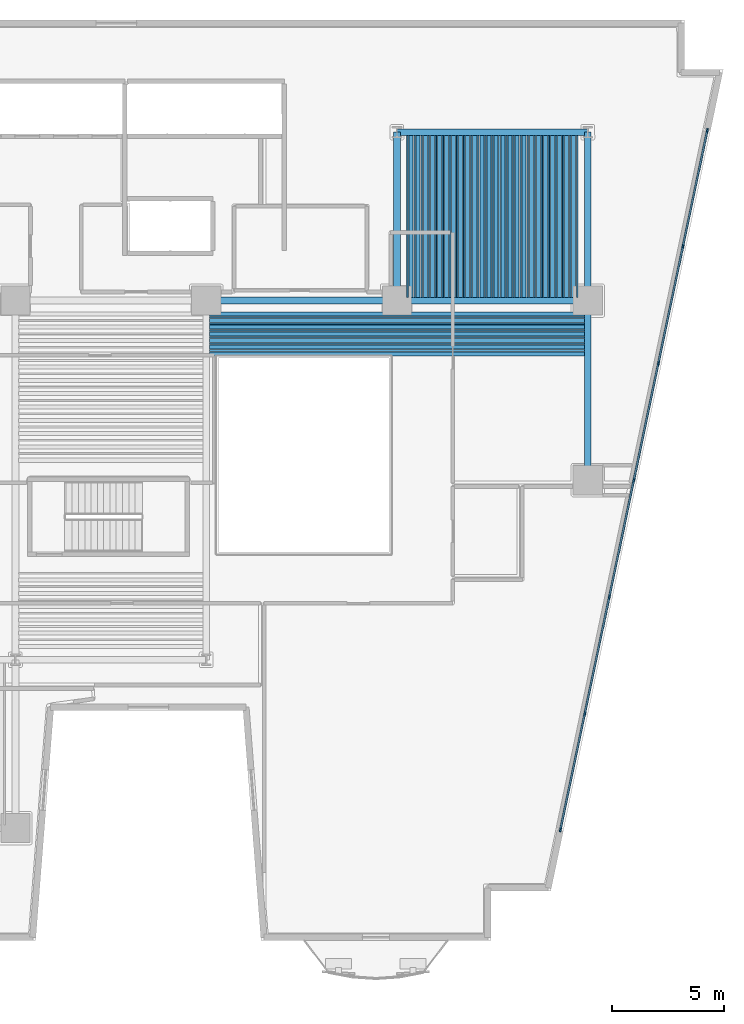
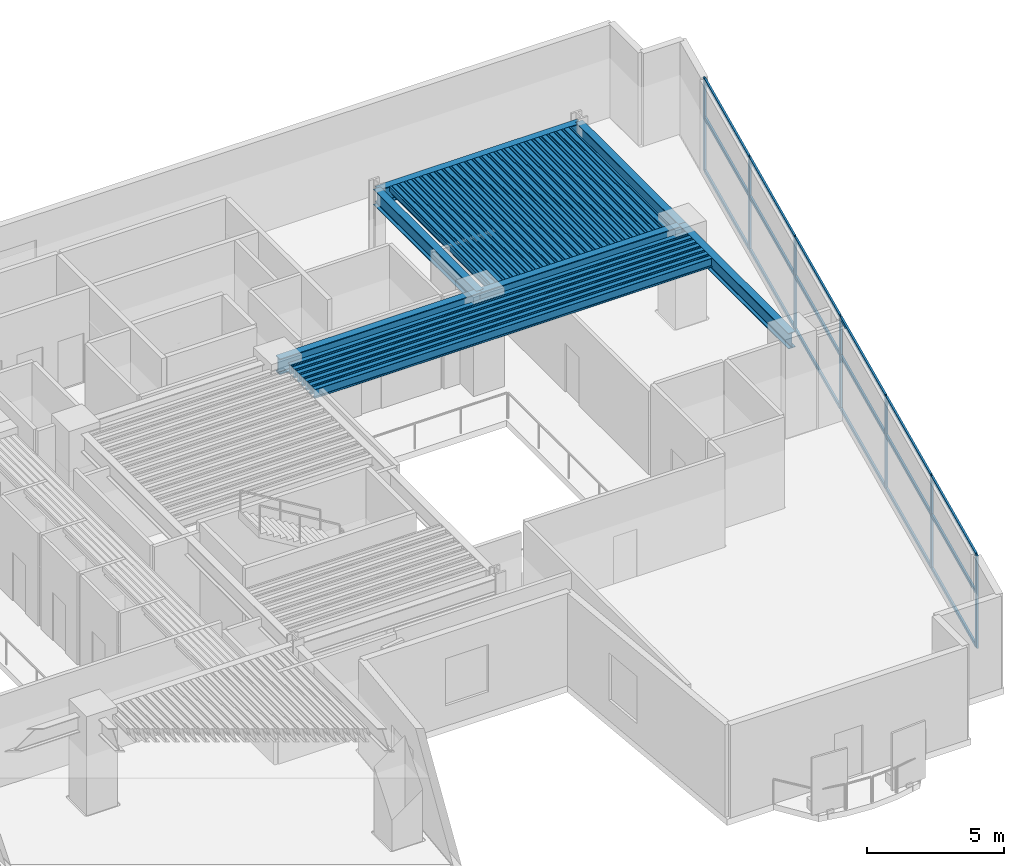
# One storey, part 2 of 12: 68 beams, 25 members, 1 element without a shape of its own.
"""IFC4 building model written with IfcOpenShell, lengths in metres."""

from ifc_helpers import new_model, si_unit, direction, frame, origin, origin_2d, place, context, subcontext, project, spatial, rectangle, hollow_rectangle, i_section, extrude, material, layer, layer_set, material_profile, profile_set, type_object, element, aggregate, save


model = new_model("IFC4")

# Units and contexts
model_context = context("Model", 3, precision=1e-05, world=origin(), true_north=direction((0.0, 1.0)))
body_context = subcontext(model_context, "Body", "Model", "MODEL_VIEW")
ifc_project = project(units=[si_unit("LENGTHUNIT", "METRE"), si_unit("AREAUNIT", "SQUARE_METRE"), si_unit("VOLUMEUNIT", "CUBIC_METRE"), si_unit("PLANEANGLEUNIT", "RADIAN"), si_unit("MASSUNIT", "GRAM", prefix="KILO")], contexts=[model_context])

# Site, building, storey
site_placement = place(None, origin())
site = spatial("IfcSite", under=ifc_project, at=site_placement, CompositionType="ELEMENT")
building_placement = place(site_placement, origin())
building = spatial("IfcBuilding", under=site, at=building_placement, Name="Caeloran Harvest Quay", CompositionType="ELEMENT")
storey_placement = place(building_placement, frame((0.0, 0.0, 93.0)))
storey = spatial("IfcBuildingStorey", under=building, at=storey_placement, Name="L21", CompositionType="ELEMENT", Elevation=93.0)

# Beams
ifc_material_1 = material(Name="Steel S355J2", Category="steel")
ifc_material_profile_1 = material_profile(ifc_material_1, i_section(OverallWidth=0.300048828125, OverallDepth=0.699951171875, WebThickness=0.01708984375, FlangeThickness=0.031982421875, FilletRadius=0.027099609375, at=origin_2d()), Name="HE 700 B")
ifc_profile_set_1 = profile_set([ifc_material_profile_1], Name="Steel S355J2")
beam_type_1 = type_object("IfcBeamType", Name="BM-PG-2-HE_700_B", PredefinedType="BEAM", material=ifc_profile_set_1)
for number, where, z_axis, x_axis, name in (
    (1, (34.0, 31.0, 3.764892578125), (1.0, 0.0, 0.0), (0.0, 1.0, 0.0), "L21 Primary East-West Girder Y=31.0"),
    (2, (42.5, 31.0, 3.764892578125), (1.0, 0.0, 0.0), (0.0, 1.0, 0.0), "L21 Primary East-West Girder Y=31.0"),
    (3, (42.5, 38.5, 3.764892578125), (1.0, 0.0, 0.0), (0.0, 1.0, 0.0), "L21 Primary East-West Girder Y=38.5"),
):
    element("IfcBeam", number, at=place(storey_placement, frame(where, z_axis=z_axis, x_axis=x_axis)), inside=storey, type_object=beam_type_1, Name=name, PredefinedType="BEAM", context=body_context, shape_type="SweptSolid", body=[
        extrude(i_section(OverallWidth=0.300048828125, OverallDepth=0.699951171875, WebThickness=0.01708984375, FlangeThickness=0.031982421875, FilletRadius=0.027099609375, at=origin_2d()), origin(), (0.0, 0.0, 1.0), 8.5),
    ])
beam_1_placement = place(storey_placement, frame((42.5, 31.0, 3.764892578125), z_axis=(0.0, 1.0, 0.0), x_axis=(-1.0, 0.0, 0.0)))
element("IfcBeam", 4, at=beam_1_placement, inside=storey, type_object=beam_type_1, Name="L21 Primary North-South Girder X=42.5", PredefinedType="BEAM", context=body_context, shape_type="SweptSolid", body=[
    extrude(i_section(OverallWidth=0.300048828125, OverallDepth=0.699951171875, WebThickness=0.01708984375, FlangeThickness=0.031982421875, FilletRadius=0.027099609375, at=origin_2d()), origin(), (0.0, 0.0, 1.0), 7.5),
])
beam_2_placement = place(storey_placement, frame((51.0, 23.0, 3.764892578125), z_axis=(0.0, 1.0, 0.0), x_axis=(-1.0, 0.0, 0.0)))
element("IfcBeam", 5, at=beam_2_placement, inside=storey, type_object=beam_type_1, Name="L21 Primary North-South Girder X=51.0", PredefinedType="BEAM", context=body_context, shape_type="SweptSolid", body=[
    extrude(i_section(OverallWidth=0.300048828125, OverallDepth=0.699951171875, WebThickness=0.01708984375, FlangeThickness=0.031982421875, FilletRadius=0.027099609375, at=origin_2d()), origin(), (0.0, 0.0, 1.0), 8.0),
])
beam_3_placement = place(storey_placement, frame((51.0, 31.0, 3.764892578125), z_axis=(0.0, 1.0, 0.0), x_axis=(-1.0, 0.0, 0.0)))
element("IfcBeam", 6, at=beam_3_placement, inside=storey, type_object=beam_type_1, Name="L21 Primary North-South Girder X=51.0", PredefinedType="BEAM", context=body_context, shape_type="SweptSolid", body=[
    extrude(i_section(OverallWidth=0.300048828125, OverallDepth=0.699951171875, WebThickness=0.01708984375, FlangeThickness=0.031982421875, FilletRadius=0.027099609375, at=origin_2d()), origin(), (0.0, 0.0, 1.0), 7.5),
])
ifc_material_profile_2 = material_profile(ifc_material_1, i_section(OverallWidth=0.179931640625, OverallDepth=0.39990234375, WebThickness=0.008544921875, FlangeThickness=0.013427734375, FilletRadius=0.02099609375, at=origin_2d()), Name="IPE 400")
ifc_profile_set_2 = profile_set([ifc_material_profile_2], Name="Steel S355J2")
beam_type_2 = type_object("IfcBeamType", Name="BM-SB-4-IPE_400", PredefinedType="JOIST", material=ifc_profile_set_2)
for number, where, z_axis, x_axis, name in (
    (7, (43.129638671875, 31.14501953125, 3.9150390625), (0.0, 1.0, 0.0), (-1.0, 0.0, 0.0), "L21 Secondary Composite Joist"),
    (8, (43.4443359375, 31.14501953125, 3.9150390625), (0.0, 1.0, 0.0), (-1.0, 0.0, 0.0), "L21 Secondary Composite Joist"),
    (9, (43.75927734375, 31.14501953125, 3.9150390625), (0.0, 1.0, 0.0), (-1.0, 0.0, 0.0), "L21 Secondary Composite Joist"),
    (10, (44.07421875, 31.14501953125, 3.9150390625), (0.0, 1.0, 0.0), (-1.0, 0.0, 0.0), "L21 Secondary Composite Joist"),
    (11, (44.388916015625, 31.14501953125, 3.9150390625), (0.0, 1.0, 0.0), (-1.0, 0.0, 0.0), "L21 Secondary Composite Joist"),
    (12, (44.70361328125, 31.14501953125, 3.9150390625), (0.0, 1.0, 0.0), (-1.0, 0.0, 0.0), "L21 Secondary Composite Joist"),
    (13, (45.0185546875, 31.14501953125, 3.9150390625), (0.0, 1.0, 0.0), (-1.0, 0.0, 0.0), "L21 Secondary Composite Joist"),
    (14, (45.333251953125, 31.14501953125, 3.9150390625), (0.0, 1.0, 0.0), (-1.0, 0.0, 0.0), "L21 Secondary Composite Joist"),
    (15, (45.648193359375, 31.14501953125, 3.9150390625), (0.0, 1.0, 0.0), (-1.0, 0.0, 0.0), "L21 Secondary Composite Joist"),
    (16, (45.962890625, 31.14501953125, 3.9150390625), (0.0, 1.0, 0.0), (-1.0, 0.0, 0.0), "L21 Secondary Composite Joist"),
    (17, (46.27783203125, 31.14501953125, 3.9150390625), (0.0, 1.0, 0.0), (-1.0, 0.0, 0.0), "L21 Secondary Composite Joist"),
    (18, (46.592529296875, 31.14501953125, 3.9150390625), (0.0, 1.0, 0.0), (-1.0, 0.0, 0.0), "L21 Secondary Composite Joist"),
    (19, (46.907470703125, 31.14501953125, 3.9150390625), (0.0, 1.0, 0.0), (-1.0, 0.0, 0.0), "L21 Secondary Composite Joist"),
    (20, (47.22216796875, 31.14501953125, 3.9150390625), (0.0, 1.0, 0.0), (-1.0, 0.0, 0.0), "L21 Secondary Composite Joist"),
    (21, (47.537109375, 31.14501953125, 3.9150390625), (0.0, 1.0, 0.0), (-1.0, 0.0, 0.0), "L21 Secondary Composite Joist"),
    (22, (47.851806640625, 31.14501953125, 3.9150390625), (0.0, 1.0, 0.0), (-1.0, 0.0, 0.0), "L21 Secondary Composite Joist"),
    (23, (48.166748046875, 31.14501953125, 3.9150390625), (0.0, 1.0, 0.0), (-1.0, 0.0, 0.0), "L21 Secondary Composite Joist"),
    (24, (48.4814453125, 31.14501953125, 3.9150390625), (0.0, 1.0, 0.0), (-1.0, 0.0, 0.0), "L21 Secondary Composite Joist"),
    (25, (48.79638671875, 31.14501953125, 3.9150390625), (0.0, 1.0, 0.0), (-1.0, 0.0, 0.0), "L21 Secondary Composite Joist"),
    (26, (49.111083984375, 31.14501953125, 3.9150390625), (0.0, 1.0, 0.0), (-1.0, 0.0, 0.0), "L21 Secondary Composite Joist"),
    (27, (49.42578125, 31.14501953125, 3.9150390625), (0.0, 1.0, 0.0), (-1.0, 0.0, 0.0), "L21 Secondary Composite Joist"),
    (28, (49.74072265625, 31.14501953125, 3.9150390625), (0.0, 1.0, 0.0), (-1.0, 0.0, 0.0), "L21 Secondary Composite Joist"),
    (29, (50.0556640625, 31.14501953125, 3.9150390625), (0.0, 1.0, 0.0), (-1.0, 0.0, 0.0), "L21 Secondary Composite Joist"),
    (30, (50.370361328125, 31.14501953125, 3.9150390625), (0.0, 1.0, 0.0), (-1.0, 0.0, 0.0), "L21 Secondary Composite Joist"),
):
    element("IfcBeam", number, at=place(storey_placement, frame(where, z_axis=z_axis, x_axis=x_axis)), inside=storey, type_object=beam_type_2, Name=name, PredefinedType="JOIST", context=body_context, shape_type="SweptSolid", body=[
        extrude(i_section(OverallWidth=0.179931640625, OverallDepth=0.39990234375, WebThickness=0.008544921875, FlangeThickness=0.013427734375, FilletRadius=0.02099609375, at=origin_2d()), origin(), (0.0, 0.0, 1.0), 7.2099609375),
    ])
for number, where, z_axis, x_axis, name in (
    (31, (34.14501953125, 28.629638671875, 3.9150390625), (1.0, 0.0, 0.0), (0.0, 1.0, 0.0), "L21 Secondary East-West Composite Joist"),
    (32, (34.14501953125, 28.92578125, 3.9150390625), (1.0, 0.0, 0.0), (0.0, 1.0, 0.0), "L21 Secondary East-West Composite Joist"),
    (33, (34.14501953125, 29.22216796875, 3.9150390625), (1.0, 0.0, 0.0), (0.0, 1.0, 0.0), "L21 Secondary East-West Composite Joist"),
    (34, (34.14501953125, 29.5185546875, 3.9150390625), (1.0, 0.0, 0.0), (0.0, 1.0, 0.0), "L21 Secondary East-West Composite Joist"),
    (35, (34.14501953125, 29.814697265625, 3.9150390625), (1.0, 0.0, 0.0), (0.0, 1.0, 0.0), "L21 Secondary East-West Composite Joist"),
    (36, (34.14501953125, 30.111083984375, 3.9150390625), (1.0, 0.0, 0.0), (0.0, 1.0, 0.0), "L21 Secondary East-West Composite Joist"),
    (37, (34.14501953125, 30.407470703125, 3.9150390625), (1.0, 0.0, 0.0), (0.0, 1.0, 0.0), "L21 Secondary East-West Composite Joist"),
):
    element("IfcBeam", number, at=place(storey_placement, frame(where, z_axis=z_axis, x_axis=x_axis)), inside=storey, type_object=beam_type_2, Name=name, PredefinedType="JOIST", context=body_context, shape_type="SweptSolid", body=[
        extrude(i_section(OverallWidth=0.179931640625, OverallDepth=0.39990234375, WebThickness=0.008544921875, FlangeThickness=0.013427734375, FilletRadius=0.02099609375, at=origin_2d()), origin(), (0.0, 0.0, 1.0), 16.7099609375),
    ])
ifc_material_profile_3 = material_profile(ifc_material_1, hollow_rectangle(XDim=0.080078125, YDim=0.199951171875, WallThickness=0.006103515625, InnerFilletRadius=0.006103515625, OuterFilletRadius=0.009033203125, at=origin_2d()), Name="RHS 200x80x6")
ifc_profile_set_3 = profile_set([ifc_material_profile_3], Name="Steel S355J2")
beam_type_3 = type_object("IfcBeamType", Name="BM-SB-7-RHS_200x80x6", PredefinedType="JOIST", material=ifc_profile_set_3)
for number, where, z_axis, x_axis, name in (
    (38, (42.97216796875, 31.14501953125, 4.014892578125), (0.0, 1.0, 0.0), (-1.0, 0.0, 0.0), "L21 Secondary Composite Joist"),
    (39, (43.287109375, 31.14501953125, 4.014892578125), (0.0, 1.0, 0.0), (-1.0, 0.0, 0.0), "L21 Secondary Composite Joist"),
    (40, (43.601806640625, 31.14501953125, 4.014892578125), (0.0, 1.0, 0.0), (-1.0, 0.0, 0.0), "L21 Secondary Composite Joist"),
    (41, (43.916748046875, 31.14501953125, 4.014892578125), (0.0, 1.0, 0.0), (-1.0, 0.0, 0.0), "L21 Secondary Composite Joist"),
    (42, (44.2314453125, 31.14501953125, 4.014892578125), (0.0, 1.0, 0.0), (-1.0, 0.0, 0.0), "L21 Secondary Composite Joist"),
    (43, (44.54638671875, 31.14501953125, 4.014892578125), (0.0, 1.0, 0.0), (-1.0, 0.0, 0.0), "L21 Secondary Composite Joist"),
    (44, (44.861083984375, 31.14501953125, 4.014892578125), (0.0, 1.0, 0.0), (-1.0, 0.0, 0.0), "L21 Secondary Composite Joist"),
    (45, (45.17578125, 31.14501953125, 4.014892578125), (0.0, 1.0, 0.0), (-1.0, 0.0, 0.0), "L21 Secondary Composite Joist"),
    (46, (45.49072265625, 31.14501953125, 4.014892578125), (0.0, 1.0, 0.0), (-1.0, 0.0, 0.0), "L21 Secondary Composite Joist"),
    (47, (45.8056640625, 31.14501953125, 4.014892578125), (0.0, 1.0, 0.0), (-1.0, 0.0, 0.0), "L21 Secondary Composite Joist"),
    (48, (46.120361328125, 31.14501953125, 4.014892578125), (0.0, 1.0, 0.0), (-1.0, 0.0, 0.0), "L21 Secondary Composite Joist"),
    (49, (46.435302734375, 31.14501953125, 4.014892578125), (0.0, 1.0, 0.0), (-1.0, 0.0, 0.0), "L21 Secondary Composite Joist"),
    (50, (46.75, 31.14501953125, 4.014892578125), (0.0, 1.0, 0.0), (-1.0, 0.0, 0.0), "L21 Secondary Composite Joist"),
    (51, (47.064697265625, 31.14501953125, 4.014892578125), (0.0, 1.0, 0.0), (-1.0, 0.0, 0.0), "L21 Secondary Composite Joist"),
    (52, (47.379638671875, 31.14501953125, 4.014892578125), (0.0, 1.0, 0.0), (-1.0, 0.0, 0.0), "L21 Secondary Composite Joist"),
    (53, (47.6943359375, 31.14501953125, 4.014892578125), (0.0, 1.0, 0.0), (-1.0, 0.0, 0.0), "L21 Secondary Composite Joist"),
    (54, (48.00927734375, 31.14501953125, 4.014892578125), (0.0, 1.0, 0.0), (-1.0, 0.0, 0.0), "L21 Secondary Composite Joist"),
    (55, (48.32421875, 31.14501953125, 4.014892578125), (0.0, 1.0, 0.0), (-1.0, 0.0, 0.0), "L21 Secondary Composite Joist"),
    (56, (48.638916015625, 31.14501953125, 4.014892578125), (0.0, 1.0, 0.0), (-1.0, 0.0, 0.0), "L21 Secondary Composite Joist"),
    (57, (48.95361328125, 31.14501953125, 4.014892578125), (0.0, 1.0, 0.0), (-1.0, 0.0, 0.0), "L21 Secondary Composite Joist"),
    (58, (49.2685546875, 31.14501953125, 4.014892578125), (0.0, 1.0, 0.0), (-1.0, 0.0, 0.0), "L21 Secondary Composite Joist"),
    (59, (49.583251953125, 31.14501953125, 4.014892578125), (0.0, 1.0, 0.0), (-1.0, 0.0, 0.0), "L21 Secondary Composite Joist"),
    (60, (49.898193359375, 31.14501953125, 4.014892578125), (0.0, 1.0, 0.0), (-1.0, 0.0, 0.0), "L21 Secondary Composite Joist"),
    (61, (50.212890625, 31.14501953125, 4.014892578125), (0.0, 1.0, 0.0), (-1.0, 0.0, 0.0), "L21 Secondary Composite Joist"),
    (62, (50.52783203125, 31.14501953125, 4.014892578125), (0.0, 1.0, 0.0), (-1.0, 0.0, 0.0), "L21 Secondary Composite Joist"),
):
    element("IfcBeam", number, at=place(storey_placement, frame(where, z_axis=z_axis, x_axis=x_axis)), inside=storey, type_object=beam_type_3, Name=name, PredefinedType="JOIST", context=body_context, shape_type="SweptSolid", body=[
        extrude(hollow_rectangle(XDim=0.080078125, YDim=0.199951171875, WallThickness=0.006103515625, InnerFilletRadius=0.006103515625, OuterFilletRadius=0.009033203125, at=origin_2d()), origin(), (0.0, 0.0, 1.0), 7.2099609375),
    ])
for number, where, z_axis, x_axis, name in (
    (63, (34.14501953125, 28.77783203125, 4.014892578125), (1.0, 0.0, 0.0), (0.0, 1.0, 0.0), "L21 Secondary East-West Composite Joist"),
    (64, (34.14501953125, 29.07421875, 4.014892578125), (1.0, 0.0, 0.0), (0.0, 1.0, 0.0), "L21 Secondary East-West Composite Joist"),
    (65, (34.14501953125, 29.370361328125, 4.014892578125), (1.0, 0.0, 0.0), (0.0, 1.0, 0.0), "L21 Secondary East-West Composite Joist"),
    (66, (34.14501953125, 29.666748046875, 4.014892578125), (1.0, 0.0, 0.0), (0.0, 1.0, 0.0), "L21 Secondary East-West Composite Joist"),
    (67, (34.14501953125, 29.962890625, 4.014892578125), (1.0, 0.0, 0.0), (0.0, 1.0, 0.0), "L21 Secondary East-West Composite Joist"),
    (68, (34.14501953125, 30.25927734375, 4.014892578125), (1.0, 0.0, 0.0), (0.0, 1.0, 0.0), "L21 Secondary East-West Composite Joist"),
):
    element("IfcBeam", number, at=place(storey_placement, frame(where, z_axis=z_axis, x_axis=x_axis)), inside=storey, type_object=beam_type_3, Name=name, PredefinedType="JOIST", context=body_context, shape_type="SweptSolid", body=[
        extrude(hollow_rectangle(XDim=0.080078125, YDim=0.199951171875, WallThickness=0.006103515625, InnerFilletRadius=0.006103515625, OuterFilletRadius=0.009033203125, at=origin_2d()), origin(), (0.0, 0.0, 1.0), 16.7099609375),
    ])

# Curtain wall, members
ifc_material_2 = material(Name="Aluminium 6063-T6 and Low-E Glazing", Category="aluminium")
ifc_layer = layer(ifc_material_2, 0.199951171875, Name="Aluminium 6063-T6 and Low-E Glazing")
ifc_layer_set = layer_set([ifc_layer], Name="Aluminium 6063-T6 and Low-E Glazing")
curtain_wall_type = type_object("IfcCurtainWallType", Name="CW-SYS-CW-2", PredefinedType="USERDEFINED", material=ifc_layer_set)
curtain_wall_placement = place(storey_placement, origin())
curtain_wall = element("IfcCurtainWall", 69, at=curtain_wall_placement, inside=storey, type_object=curtain_wall_type, Name="L21 Unitised Curtain Wall CW-2 Run 9", ObjectType="CURTAIN_WALL", PredefinedType="USERDEFINED")
ifc_material_3 = material(Name="Aluminium 6063-T6", Category="aluminium")
ifc_material_profile_4 = material_profile(ifc_material_3, rectangle(XDim=0.080078125, YDim=0.179931640625, at=origin_2d()), Name="CW-MULLION-180")
ifc_profile_set_4 = profile_set([ifc_material_profile_4], Name="Aluminium 6063-T6")
member_type_1 = type_object("IfcMemberType", Name="CW-MULLION-180", PredefinedType="MULLION", material=ifc_profile_set_4)
member_1_placement = place(storey_placement, frame((56.322509765625, 38.576416015625, 0.0), z_axis=(0.0, 0.0, 1.0), x_axis=(0.978639691881, -0.205582960081, 0.0)))
member_1 = element("IfcMember", 70, at=member_1_placement, type_object=member_type_1, Name="CW-2 mullion 1", PredefinedType="MULLION", context=body_context, shape_type="SweptSolid", body=[
    extrude(rectangle(XDim=0.080078125, YDim=0.179931640625, at=origin_2d()), origin(), (0.0, 0.0, 1.0), 4.114990234375),
])
member_2_placement = place(storey_placement, frame((55.2373046875, 33.410400390625, 0.0), z_axis=(0.0, 0.0, 1.0), x_axis=(0.978639691881, -0.205582960081, 0.0)))
member_2 = element("IfcMember", 71, at=member_2_placement, type_object=member_type_1, Name="CW-2 mullion 2", PredefinedType="MULLION", context=body_context, shape_type="SweptSolid", body=[
    extrude(rectangle(XDim=0.080078125, YDim=0.179931640625, at=origin_2d()), origin(), (0.0, 0.0, 1.0), 4.114990234375),
])
member_3_placement = place(storey_placement, frame((54.143798828125, 28.205078125, 0.0), z_axis=(0.0, 0.0, 1.0), x_axis=(0.978639691881, -0.205582960081, 0.0)))
member_3 = element("IfcMember", 72, at=member_3_placement, type_object=member_type_1, Name="CW-2 mullion 3", PredefinedType="MULLION", context=body_context, shape_type="SweptSolid", body=[
    extrude(rectangle(XDim=0.080078125, YDim=0.179931640625, at=origin_2d()), origin(), (0.0, 0.0, 1.0), 4.114990234375),
])
member_4_placement = place(storey_placement, frame((53.050537109375, 23.0, 0.0), z_axis=(0.0, 0.0, 1.0), x_axis=(0.978639691881, -0.205582960081, 0.0)))
member_4 = element("IfcMember", 73, at=member_4_placement, type_object=member_type_1, Name="CW-2 mullion 4", PredefinedType="MULLION", context=body_context, shape_type="SweptSolid", body=[
    extrude(rectangle(XDim=0.080078125, YDim=0.179931640625, at=origin_2d()), origin(), (0.0, 0.0, 1.0), 4.114990234375),
])
member_5_placement = place(storey_placement, frame((51.95703125, 17.794921875, 0.0), z_axis=(0.0, 0.0, 1.0), x_axis=(0.978639691881, -0.205582960081, 0.0)))
member_5 = element("IfcMember", 74, at=member_5_placement, type_object=member_type_1, Name="CW-2 mullion 5", PredefinedType="MULLION", context=body_context, shape_type="SweptSolid", body=[
    extrude(rectangle(XDim=0.080078125, YDim=0.179931640625, at=origin_2d()), origin(), (0.0, 0.0, 1.0), 4.114990234375),
])
member_6_placement = place(storey_placement, frame((50.863525390625, 12.589599609375, 0.0), z_axis=(0.0, 0.0, 1.0), x_axis=(0.978639691881, -0.205582960081, 0.0)))
member_6 = element("IfcMember", 75, at=member_6_placement, type_object=member_type_1, Name="CW-2 mullion 6", PredefinedType="MULLION", context=body_context, shape_type="SweptSolid", body=[
    extrude(rectangle(XDim=0.080078125, YDim=0.179931640625, at=origin_2d()), origin(), (0.0, 0.0, 1.0), 4.114990234375),
])
member_7_placement = place(storey_placement, frame((49.7783203125, 7.423583984375, 0.0), z_axis=(0.0, 0.0, 1.0), x_axis=(0.978639691881, -0.205582960081, 0.0)))
member_7 = element("IfcMember", 76, at=member_7_placement, type_object=member_type_1, Name="CW-2 mullion 7", PredefinedType="MULLION", context=body_context, shape_type="SweptSolid", body=[
    extrude(rectangle(XDim=0.080078125, YDim=0.179931640625, at=origin_2d()), origin(), (0.0, 0.0, 1.0), 4.114990234375),
])
ifc_material_profile_5 = material_profile(ifc_material_3, rectangle(XDim=0.080078125, YDim=0.14990234375, at=origin_2d()), Name="CW-TRANSOM-150")
ifc_profile_set_5 = profile_set([ifc_material_profile_5], Name="Aluminium 6063-T6")
member_type_2 = type_object("IfcMemberType", Name="CW-TRANSOM-150", PredefinedType="USERDEFINED", material=ifc_profile_set_5)
member_8_placement = place(storey_placement, frame((56.314453125, 38.537109375, 0.0400390625), z_axis=(-0.205598644178, -0.978636396989, 0.0), x_axis=(0.978636396989, -0.205598644178, 0.0)))
member_8 = element("IfcMember", 77, at=member_8_placement, type_object=member_type_2, Name="CW-2 transom 1.1", ObjectType="TRANSOM", PredefinedType="USERDEFINED", context=body_context, shape_type="SweptSolid", body=[
    extrude(rectangle(XDim=0.080078125, YDim=0.14990234375, at=origin_2d()), origin(), (0.0, 0.0, 1.0), 5.19873046875),
])
member_9_placement = place(storey_placement, frame((56.314453125, 38.537109375, 2.39990234375), z_axis=(-0.205598644178, -0.978636396989, 0.0), x_axis=(0.978636396989, -0.205598644178, 0.0)))
member_9 = element("IfcMember", 78, at=member_9_placement, type_object=member_type_2, Name="CW-2 transom 1.2", ObjectType="TRANSOM", PredefinedType="USERDEFINED", context=body_context, shape_type="SweptSolid", body=[
    extrude(rectangle(XDim=0.080078125, YDim=0.14990234375, at=origin_2d()), origin(), (0.0, 0.0, 1.0), 5.19873046875),
])
member_10_placement = place(storey_placement, frame((56.314453125, 38.537109375, 4.074951171875), z_axis=(-0.205598644178, -0.978636396989, 0.0), x_axis=(0.978636396989, -0.205598644178, 0.0)))
member_10 = element("IfcMember", 79, at=member_10_placement, type_object=member_type_2, Name="CW-2 transom 1.3", ObjectType="TRANSOM", PredefinedType="USERDEFINED", context=body_context, shape_type="SweptSolid", body=[
    extrude(rectangle(XDim=0.080078125, YDim=0.14990234375, at=origin_2d()), origin(), (0.0, 0.0, 1.0), 5.19873046875),
])
member_11_placement = place(storey_placement, frame((55.229248046875, 33.37109375, 0.0400390625), z_axis=(-0.205615877389, -0.97863277636, 0.0), x_axis=(0.97863277636, -0.205615877389, 0.0)))
member_11 = element("IfcMember", 80, at=member_11_placement, type_object=member_type_2, Name="CW-2 transom 2.1", ObjectType="TRANSOM", PredefinedType="USERDEFINED", context=body_context, shape_type="SweptSolid", body=[
    extrude(rectangle(XDim=0.080078125, YDim=0.14990234375, at=origin_2d()), origin(), (0.0, 0.0, 1.0), 5.238525390625),
])
member_12_placement = place(storey_placement, frame((55.229248046875, 33.37109375, 2.39990234375), z_axis=(-0.205615877389, -0.97863277636, 0.0), x_axis=(0.97863277636, -0.205615877389, 0.0)))
member_12 = element("IfcMember", 81, at=member_12_placement, type_object=member_type_2, Name="CW-2 transom 2.2", ObjectType="TRANSOM", PredefinedType="USERDEFINED", context=body_context, shape_type="SweptSolid", body=[
    extrude(rectangle(XDim=0.080078125, YDim=0.14990234375, at=origin_2d()), origin(), (0.0, 0.0, 1.0), 5.238525390625),
])
member_13_placement = place(storey_placement, frame((55.229248046875, 33.37109375, 4.074951171875), z_axis=(-0.205615877389, -0.97863277636, 0.0), x_axis=(0.97863277636, -0.205615877389, 0.0)))
member_13 = element("IfcMember", 82, at=member_13_placement, type_object=member_type_2, Name="CW-2 transom 2.3", ObjectType="TRANSOM", PredefinedType="USERDEFINED", context=body_context, shape_type="SweptSolid", body=[
    extrude(rectangle(XDim=0.080078125, YDim=0.14990234375, at=origin_2d()), origin(), (0.0, 0.0, 1.0), 5.238525390625),
])
member_14_placement = place(storey_placement, frame((54.1357421875, 28.166015625, 0.0400390625), z_axis=(-0.205606500081, -0.978634746534, 0.0), x_axis=(0.978634746534, -0.205606500081, 0.0)))
member_14 = element("IfcMember", 83, at=member_14_placement, type_object=member_type_2, Name="CW-2 transom 3.1", ObjectType="TRANSOM", PredefinedType="USERDEFINED", context=body_context, shape_type="SweptSolid", body=[
    extrude(rectangle(XDim=0.080078125, YDim=0.14990234375, at=origin_2d()), origin(), (0.0, 0.0, 1.0), 5.23876953125),
])
member_15_placement = place(storey_placement, frame((54.1357421875, 28.166015625, 2.39990234375), z_axis=(-0.205606500081, -0.978634746534, 0.0), x_axis=(0.978634746534, -0.205606500081, 0.0)))
member_15 = element("IfcMember", 84, at=member_15_placement, type_object=member_type_2, Name="CW-2 transom 3.2", ObjectType="TRANSOM", PredefinedType="USERDEFINED", context=body_context, shape_type="SweptSolid", body=[
    extrude(rectangle(XDim=0.080078125, YDim=0.14990234375, at=origin_2d()), origin(), (0.0, 0.0, 1.0), 5.23876953125),
])
member_16_placement = place(storey_placement, frame((54.1357421875, 28.166015625, 4.074951171875), z_axis=(-0.205606500081, -0.978634746534, 0.0), x_axis=(0.978634746534, -0.205606500081, 0.0)))
member_16 = element("IfcMember", 85, at=member_16_placement, type_object=member_type_2, Name="CW-2 transom 3.3", ObjectType="TRANSOM", PredefinedType="USERDEFINED", context=body_context, shape_type="SweptSolid", body=[
    extrude(rectangle(XDim=0.080078125, YDim=0.14990234375, at=origin_2d()), origin(), (0.0, 0.0, 1.0), 5.23876953125),
])
member_17_placement = place(storey_placement, frame((53.042236328125, 22.9609375, 0.0400390625), z_axis=(-0.205561867825, -0.978644122496, 0.0), x_axis=(0.978644122496, -0.205561867825, 0.0)))
member_17 = element("IfcMember", 86, at=member_17_placement, type_object=member_type_2, Name="CW-2 transom 4.1", ObjectType="TRANSOM", PredefinedType="USERDEFINED", context=body_context, shape_type="SweptSolid", body=[
    extrude(rectangle(XDim=0.080078125, YDim=0.14990234375, at=origin_2d()), origin(), (0.0, 0.0, 1.0), 5.23876953125),
])
member_18_placement = place(storey_placement, frame((53.042236328125, 22.9609375, 2.39990234375), z_axis=(-0.205561867825, -0.978644122496, 0.0), x_axis=(0.978644122496, -0.205561867825, 0.0)))
member_18 = element("IfcMember", 87, at=member_18_placement, type_object=member_type_2, Name="CW-2 transom 4.2", ObjectType="TRANSOM", PredefinedType="USERDEFINED", context=body_context, shape_type="SweptSolid", body=[
    extrude(rectangle(XDim=0.080078125, YDim=0.14990234375, at=origin_2d()), origin(), (0.0, 0.0, 1.0), 5.23876953125),
])
member_19_placement = place(storey_placement, frame((53.042236328125, 22.9609375, 4.074951171875), z_axis=(-0.205561867825, -0.978644122496, 0.0), x_axis=(0.978644122496, -0.205561867825, 0.0)))
member_19 = element("IfcMember", 88, at=member_19_placement, type_object=member_type_2, Name="CW-2 transom 4.3", ObjectType="TRANSOM", PredefinedType="USERDEFINED", context=body_context, shape_type="SweptSolid", body=[
    extrude(rectangle(XDim=0.080078125, YDim=0.14990234375, at=origin_2d()), origin(), (0.0, 0.0, 1.0), 5.23876953125),
])
member_20_placement = place(storey_placement, frame((51.94873046875, 17.755615234375, 0.0400390625), z_axis=(-0.205571243277, -0.978642153158, 0.0), x_axis=(0.978642153158, -0.205571243277, 0.0)))
member_20 = element("IfcMember", 89, at=member_20_placement, type_object=member_type_2, Name="CW-2 transom 5.1", ObjectType="TRANSOM", PredefinedType="USERDEFINED", context=body_context, shape_type="SweptSolid", body=[
    extrude(rectangle(XDim=0.080078125, YDim=0.14990234375, at=origin_2d()), origin(), (0.0, 0.0, 1.0), 5.238525390625),
])
member_21_placement = place(storey_placement, frame((51.94873046875, 17.755615234375, 2.39990234375), z_axis=(-0.205571243277, -0.978642153158, 0.0), x_axis=(0.978642153158, -0.205571243277, 0.0)))
member_21 = element("IfcMember", 90, at=member_21_placement, type_object=member_type_2, Name="CW-2 transom 5.2", ObjectType="TRANSOM", PredefinedType="USERDEFINED", context=body_context, shape_type="SweptSolid", body=[
    extrude(rectangle(XDim=0.080078125, YDim=0.14990234375, at=origin_2d()), origin(), (0.0, 0.0, 1.0), 5.238525390625),
])
member_22_placement = place(storey_placement, frame((51.94873046875, 17.755615234375, 4.074951171875), z_axis=(-0.205571243277, -0.978642153158, 0.0), x_axis=(0.978642153158, -0.205571243277, 0.0)))
member_22 = element("IfcMember", 91, at=member_22_placement, type_object=member_type_2, Name="CW-2 transom 5.3", ObjectType="TRANSOM", PredefinedType="USERDEFINED", context=body_context, shape_type="SweptSolid", body=[
    extrude(rectangle(XDim=0.080078125, YDim=0.14990234375, at=origin_2d()), origin(), (0.0, 0.0, 1.0), 5.238525390625),
])
member_23_placement = place(storey_placement, frame((50.855224609375, 12.550537109375, 0.0400390625), z_axis=(-0.205553666865, -0.978645845052, 0.0), x_axis=(0.978645845052, -0.205553666865, 0.0)))
member_23 = element("IfcMember", 92, at=member_23_placement, type_object=member_type_2, Name="CW-2 transom 6.1", ObjectType="TRANSOM", PredefinedType="USERDEFINED", context=body_context, shape_type="SweptSolid", body=[
    extrude(rectangle(XDim=0.080078125, YDim=0.14990234375, at=origin_2d()), origin(), (0.0, 0.0, 1.0), 5.19873046875),
])
member_24_placement = place(storey_placement, frame((50.855224609375, 12.550537109375, 2.39990234375), z_axis=(-0.205553666865, -0.978645845052, 0.0), x_axis=(0.978645845052, -0.205553666865, 0.0)))
member_24 = element("IfcMember", 93, at=member_24_placement, type_object=member_type_2, Name="CW-2 transom 6.2", ObjectType="TRANSOM", PredefinedType="USERDEFINED", context=body_context, shape_type="SweptSolid", body=[
    extrude(rectangle(XDim=0.080078125, YDim=0.14990234375, at=origin_2d()), origin(), (0.0, 0.0, 1.0), 5.19873046875),
])
member_25_placement = place(storey_placement, frame((50.855224609375, 12.550537109375, 4.074951171875), z_axis=(-0.205553666865, -0.978645845052, 0.0), x_axis=(0.978645845052, -0.205553666865, 0.0)))
member_25 = element("IfcMember", 94, at=member_25_placement, type_object=member_type_2, Name="CW-2 transom 6.3", ObjectType="TRANSOM", PredefinedType="USERDEFINED", context=body_context, shape_type="SweptSolid", body=[
    extrude(rectangle(XDim=0.080078125, YDim=0.14990234375, at=origin_2d()), origin(), (0.0, 0.0, 1.0), 5.19873046875),
])
aggregate(curtain_wall, [member_1, member_2, member_3, member_4, member_5, member_6, member_7, member_8, member_9, member_10, member_11, member_12, member_13, member_14, member_15, member_16, member_17, member_18, member_19, member_20, member_21, member_22, member_23, member_24, member_25])

save(model, "model.ifc")
